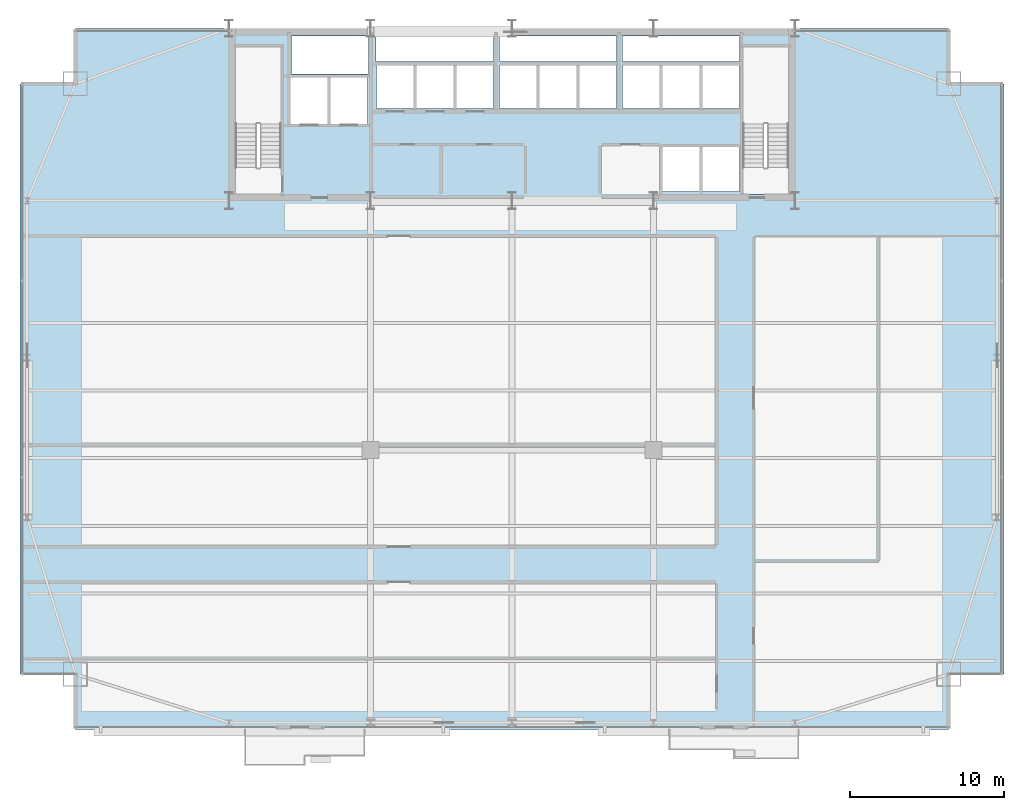
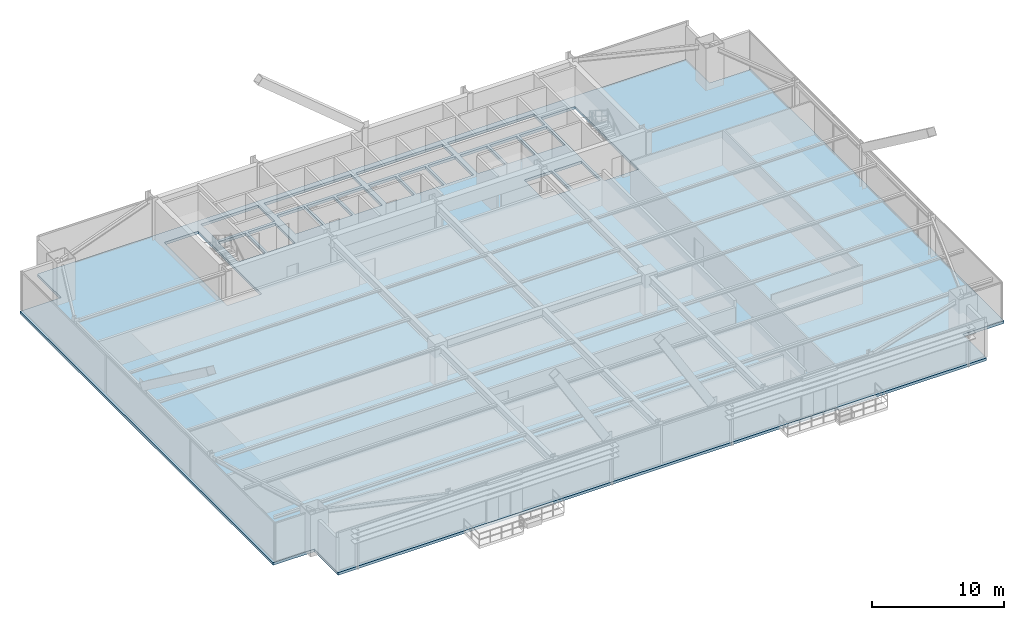
# One storey, part 25 of 34: 1 slab.
"""IFC4 building model written with IfcOpenShell, lengths in metres."""

import ifcopenshell
import ifcopenshell.guid

model = None  # the IFC model being written
_history = None  # IfcOwnerHistory: only IFC2X3 demands one
_inside = {}  # id of a spatial element -> (the spatial element, [elements in it])
_under = {}  # id of a project, library or spatial element -> (it, [spatial elements below it])
_declared = {}  # id of a project -> (the project, [libraries it declares])
_typed = {}  # id of a type object -> (the type object, [elements of that type])
_made_of = {}  # id of a material, layer set ... -> (it, [elements and type objects made of it])


def new_model(schema):
    """Start an empty IFC model of exactly this schema.

    Asked for "IFC4X3", IfcOpenShell would pick the latest addendum, in which some entities
    have other attributes; the version numbers below select the first issue.
    IFC2X3 requires an IfcOwnerHistory on every rooted entity: one is made here for all.
    """
    global model, _history
    if schema == "IFC4X3":
        model = ifcopenshell.file(schema_version=(4, 3, 0, 0))
    else:
        model = ifcopenshell.file(schema=schema)
    _inside.clear()
    _under.clear()
    _declared.clear()
    _typed.clear()
    _made_of.clear()
    _history = None
    if model.schema == "IFC2X3":
        org = make("IfcOrganization", Name="unknown")
        user = make(
            "IfcPersonAndOrganization",
            ThePerson=make("IfcPerson", FamilyName="unknown"),
            TheOrganization=org,
        )
        app = make(
            "IfcApplication",
            ApplicationDeveloper=org,
            Version="unknown",
            ApplicationFullName="unknown",
            ApplicationIdentifier="unknown",
        )
        _history = make(
            "IfcOwnerHistory",
            OwningUser=user,
            OwningApplication=app,
            ChangeAction="ADDED",
            CreationDate=0,
        )
    return model


def make(cls, **values):
    """One entity of the class cls with the attributes given. An attribute that is None is left unset."""
    return model.create_entity(
        cls, **{name: value for name, value in values.items() if value is not None}
    )


def rooted(cls, **values):
    """An entity with a GlobalId (a new one), such as an element, a storey or a relation."""
    return make(cls, GlobalId=ifcopenshell.guid.new(), OwnerHistory=_history, **values)


def si_unit(unit_type, name, prefix=None):
    """IfcSIUnit, for example si_unit("LENGTHUNIT", "METRE", prefix="MILLI")."""
    return make("IfcSIUnit", UnitType=unit_type, Prefix=prefix, Name=name)


def assignment(units):
    """IfcUnitAssignment: the units of a project."""
    return None if units is None else make("IfcUnitAssignment", Units=units)


def point(xyz):
    """IfcCartesianPoint."""
    return None if xyz is None else make("IfcCartesianPoint", Coordinates=xyz)


def direction(xyz):
    """IfcDirection."""
    return None if xyz is None else make("IfcDirection", DirectionRatios=xyz)


def frame(location, z_axis=None, x_axis=None):
    """IfcAxis2Placement3D, a coordinate frame: its origin and axes. An axis left out is left unset."""
    return make(
        "IfcAxis2Placement3D",
        Location=point(location),
        Axis=direction(z_axis),
        RefDirection=direction(x_axis),
    )


def origin():
    """The frame at (0, 0, 0) with its axes left unset."""
    return frame((0.0, 0.0, 0.0))


def place(relative_to, where):
    """IfcLocalPlacement: puts the frame where relative to a parent placement (None: the world)."""
    return make(
        "IfcLocalPlacement", PlacementRelTo=relative_to, RelativePlacement=where
    )


def context(
    kind, dimensions, precision=None, world=None, true_north=None, identifier=None
):
    """IfcGeometricRepresentationContext, for example the 3D "Model" context."""
    return make(
        "IfcGeometricRepresentationContext",
        ContextIdentifier=identifier,
        ContextType=kind,
        CoordinateSpaceDimension=dimensions,
        Precision=precision,
        WorldCoordinateSystem=world,
        TrueNorth=true_north,
    )


def subcontext(parent, identifier, kind, view, scale=None):
    """IfcGeometricRepresentationSubContext, for example "Body" below "Model"."""
    return make(
        "IfcGeometricRepresentationSubContext",
        ContextIdentifier=identifier,
        ContextType=kind,
        ParentContext=parent,
        TargetScale=scale,
        TargetView=view,
    )


def project(units=None, contexts=None):
    """IfcProject with its units and contexts."""
    return rooted(
        "IfcProject",
        Name="project",
        RepresentationContexts=contexts,
        UnitsInContext=assignment(units),
    )


def spatial(cls, under=None, at=None, **own):
    """A site, building, storey or space (cls), placed at a placement, below another one or the project."""
    s = rooted(cls, ObjectPlacement=at, **own)
    if under is not None:
        _under.setdefault(under.id(), (under, []))[1].append(s)
    return s


def polyline(points):
    """IfcPolyline through the points."""
    return make("IfcPolyline", Points=[point(p) for p in points])


def outline(outer, holes=None, kind="AREA"):
    """IfcArbitraryClosedProfileDef: a profile drawn as a closed curve; with holes, ...WithVoids."""
    if holes is None:
        return make("IfcArbitraryClosedProfileDef", ProfileType=kind, OuterCurve=outer)
    return make(
        "IfcArbitraryProfileDefWithVoids",
        ProfileType=kind,
        OuterCurve=outer,
        InnerCurves=holes,
    )


def extrude(swept, where, along, depth):
    """IfcExtrudedAreaSolid: the profile swept, set in the frame where, extruded along a direction by depth."""
    return make(
        "IfcExtrudedAreaSolid",
        SweptArea=swept,
        Position=where,
        ExtrudedDirection=direction(along),
        Depth=depth,
    )


def shape(context_of_items, identifier, shape_type, items):
    """IfcShapeRepresentation: the items that make up one representation, for example the "Body"."""
    return make(
        "IfcShapeRepresentation",
        ContextOfItems=context_of_items,
        RepresentationIdentifier=identifier,
        RepresentationType=shape_type,
        Items=items,
    )


def material(Name=None, Category=None):
    """IfcMaterial."""
    return make("IfcMaterial", Name=Name, Category=Category)


def layer(
    of_material, thickness, ventilated=None, Name=None, Category=None, Priority=None
):
    """IfcMaterialLayer: one layer of a wall or slab, of a material (None: an air gap)."""
    return make(
        "IfcMaterialLayer",
        Material=of_material,
        LayerThickness=thickness,
        IsVentilated=ventilated,
        Name=Name,
        Category=Category,
        Priority=Priority,
    )


def layer_set(layers, Name=None):
    """IfcMaterialLayerSet."""
    return make("IfcMaterialLayerSet", MaterialLayers=layers, LayerSetName=Name)


def made_of(thing, what):
    """Note that an element or type object is made of a material, layer set ...; save() writes the relation."""
    if what is not None:
        _made_of.setdefault(what.id(), (what, []))[1].append(thing)
    return thing


def type_object(cls, material=None, **own):
    """A type object (cls), such as IfcWallType, which elements share."""
    return made_of(rooted(cls, **own), material)


def element(
    cls,
    number,
    at=None,
    inside=None,
    cuts=None,
    type_object=None,
    material=None,
    context=None,
    identifier="Body",
    shape_type=None,
    held_by="IfcProductDefinitionShape",
    body=None,
    shapes=None,
    **own,
):
    """One element of the class cls, such as IfcWall. Its Tag is "e" and its number.

    at: its placement. inside: the storey or other place that contains it. cuts: it is an
    opening in that element (IfcRelVoidsElement). A single representation is given by context,
    identifier, shape_type and body (its items); several are given by shapes. held_by: the class
    of the entity that holds the representations. save() writes the other relations.
    """
    e = rooted(cls, Tag="e%d" % number, ObjectPlacement=at, **own)
    if body is not None:
        shapes = [shape(context, identifier, shape_type, body)]
    if shapes is not None:
        e.Representation = make(held_by, Representations=shapes)
    if inside is not None:
        _inside.setdefault(inside.id(), (inside, []))[1].append(e)
    if cuts is not None:
        rooted(
            "IfcRelVoidsElement", RelatingBuildingElement=cuts, RelatedOpeningElement=e
        )
    if type_object is not None:
        _typed.setdefault(type_object.id(), (type_object, []))[1].append(e)
    return made_of(e, material)


def aggregate(whole, parts):
    """IfcRelAggregates: a whole, such as a stair, and the parts it consists of."""
    return rooted("IfcRelAggregates", RelatingObject=whole, RelatedObjects=parts)


def save(model, path):
    """Write the relations noted so far, then the file.

    IfcRelAggregates (storeys below a building ...), IfcRelContainedInSpatialStructure (elements
    in a storey), IfcRelDefinesByType, IfcRelAssociatesMaterial and IfcRelDeclares: one each for
    every whole, place, type object, material and project.
    """
    for whole, parts in _under.values():
        aggregate(whole, parts)
    for where, things in _inside.values():
        rooted(
            "IfcRelContainedInSpatialStructure",
            RelatedElements=things,
            RelatingStructure=where,
        )
    for kind, things in _typed.values():
        rooted("IfcRelDefinesByType", RelatedObjects=things, RelatingType=kind)
    for what, things in _made_of.values():
        rooted("IfcRelAssociatesMaterial", RelatedObjects=things, RelatingMaterial=what)
    for by, libraries in _declared.values():
        rooted("IfcRelDeclares", RelatingContext=by, RelatedDefinitions=libraries)
    model.write(path)


model = new_model("IFC4")

# Units and contexts
model_context = context("Model", 3, precision=1e-05, world=origin(), true_north=direction((0.0, 1.0)))
body_context = subcontext(model_context, "Body", "Model", "MODEL_VIEW")
ifc_project = project(units=[si_unit("LENGTHUNIT", "METRE"), si_unit("AREAUNIT", "SQUARE_METRE"), si_unit("VOLUMEUNIT", "CUBIC_METRE"), si_unit("PLANEANGLEUNIT", "RADIAN"), si_unit("MASSUNIT", "GRAM", prefix="KILO")], contexts=[model_context])

# Site, building, storey
site_placement = place(None, origin())
site = spatial("IfcSite", under=ifc_project, at=site_placement, CompositionType="ELEMENT")
building_placement = place(site_placement, origin())
building = spatial("IfcBuilding", under=site, at=building_placement, Name="Varnel Quay Broadcast Tower", CompositionType="ELEMENT")
storey_placement = place(building_placement, frame((0.0, 0.0, 47.10009765625)))
storey = spatial("IfcBuildingStorey", under=building, at=storey_placement, Name="L10", CompositionType="ELEMENT", Elevation=47.10009765625)

# Slab
ifc_material = material(Name="Concrete CSA A23.3 C50/60", Category="concrete")
ifc_layer = layer(ifc_material, 0.25, Name="Concrete CSA A23.3 C50/60")
ifc_layer_set = layer_set([ifc_layer], Name="Concrete CSA A23.3 C50/60")
slab_type = type_object("IfcSlabType", Name="Slab_Floor250", PredefinedType="FLOOR", material=ifc_layer_set)
slab_placement = place(storey_placement, frame((0.0, 0.0, -0.25)))
element("IfcSlab", 1, at=slab_placement, inside=storey, type_object=slab_type, Name="L10 Structural Slab", PredefinedType="FLOOR", context=body_context, shape_type="SweptSolid", body=[
    extrude(outline(polyline([(5.60009765625, 1.199951171875), (62.39990234375, 1.199951171875), (62.39990234375, 4.800048828125), (66.0, 4.800048828125), (66.0, 43.199951171875), (62.39990234375, 43.199951171875), (62.39990234375, 46.800048828125), (5.60009765625, 46.800048828125), (5.60009765625, 43.199951171875), (2.0, 43.199951171875), (2.0, 4.800048828125), (5.60009765625, 4.800048828125), (5.60009765625, 1.199951171875)]), holes=[polyline([(16.0, 36.0), (16.0, 45.60009765625), (19.0, 45.60009765625), (19.0, 36.0), (16.0, 36.0)]), polyline([(19.60009765625, 43.60009765625), (22.0, 43.60009765625), (22.0, 40.60009765625), (19.60009765625, 40.60009765625), (19.60009765625, 43.60009765625)]), polyline([(22.199951171875, 43.60009765625), (24.60009765625, 43.60009765625), (24.60009765625, 40.60009765625), (22.199951171875, 40.60009765625), (22.199951171875, 43.60009765625)]), polyline([(25.199951171875, 44.39990234375), (27.60009765625, 44.39990234375), (27.60009765625, 41.60009765625), (25.199951171875, 41.60009765625), (25.199951171875, 44.39990234375)]), polyline([(27.800048828125, 44.39990234375), (30.199951171875, 44.39990234375), (30.199951171875, 41.60009765625), (27.800048828125, 41.60009765625), (27.800048828125, 44.39990234375)]), polyline([(30.39990234375, 44.39990234375), (32.800048828125, 44.39990234375), (32.800048828125, 41.60009765625), (30.39990234375, 41.60009765625), (30.39990234375, 44.39990234375)]), polyline([(33.199951171875, 44.39990234375), (35.60009765625, 44.39990234375), (35.60009765625, 41.60009765625), (33.199951171875, 41.60009765625), (33.199951171875, 44.39990234375)]), polyline([(38.199951171875, 44.39990234375), (38.199951171875, 41.60009765625), (35.800048828125, 41.60009765625), (35.800048828125, 44.39990234375), (38.199951171875, 44.39990234375)]), polyline([(24.679931640625, 46.300048828125), (24.679931640625, 43.85009765625), (19.64990234375, 43.85009765625), (19.64990234375, 46.300048828125), (24.679931640625, 46.300048828125)]), polyline([(25.14990234375, 46.300048828125), (32.800048828125, 46.300048828125), (32.800048828125, 44.64990234375), (25.14990234375, 44.64990234375), (25.14990234375, 46.300048828125)]), polyline([(43.800048828125, 39.10009765625), (46.199951171875, 39.10009765625), (46.199951171875, 36.199951171875), (43.800048828125, 36.199951171875), (43.800048828125, 39.10009765625)]), polyline([(46.39990234375, 39.10009765625), (48.800048828125, 39.10009765625), (48.800048828125, 36.199951171875), (46.39990234375, 36.199951171875), (46.39990234375, 39.10009765625)]), polyline([(49.0, 45.60009765625), (52.0, 45.60009765625), (52.0, 36.0), (49.0, 36.0), (49.0, 45.60009765625)]), polyline([(40.800048828125, 44.39990234375), (40.800048828125, 41.60009765625), (38.39990234375, 41.60009765625), (38.39990234375, 44.39990234375), (40.800048828125, 44.39990234375)]), polyline([(41.199951171875, 44.39990234375), (43.60009765625, 44.39990234375), (43.60009765625, 41.60009765625), (41.199951171875, 41.60009765625), (41.199951171875, 44.39990234375)]), polyline([(43.800048828125, 44.39990234375), (46.199951171875, 44.39990234375), (46.199951171875, 41.60009765625), (43.800048828125, 41.60009765625), (43.800048828125, 44.39990234375)]), polyline([(46.39990234375, 44.39990234375), (48.800048828125, 44.39990234375), (48.800048828125, 41.60009765625), (46.39990234375, 41.60009765625), (46.39990234375, 44.39990234375)]), polyline([(40.800048828125, 46.300048828125), (40.800048828125, 44.64990234375), (33.199951171875, 44.64990234375), (33.199951171875, 46.300048828125), (40.800048828125, 46.300048828125)]), polyline([(48.800048828125, 46.300048828125), (48.800048828125, 44.64990234375), (41.199951171875, 44.64990234375), (41.199951171875, 46.300048828125), (48.800048828125, 46.300048828125)])]), origin(), (0.0, 0.0, 1.0), 0.25),
])

save(model, "model.ifc")
